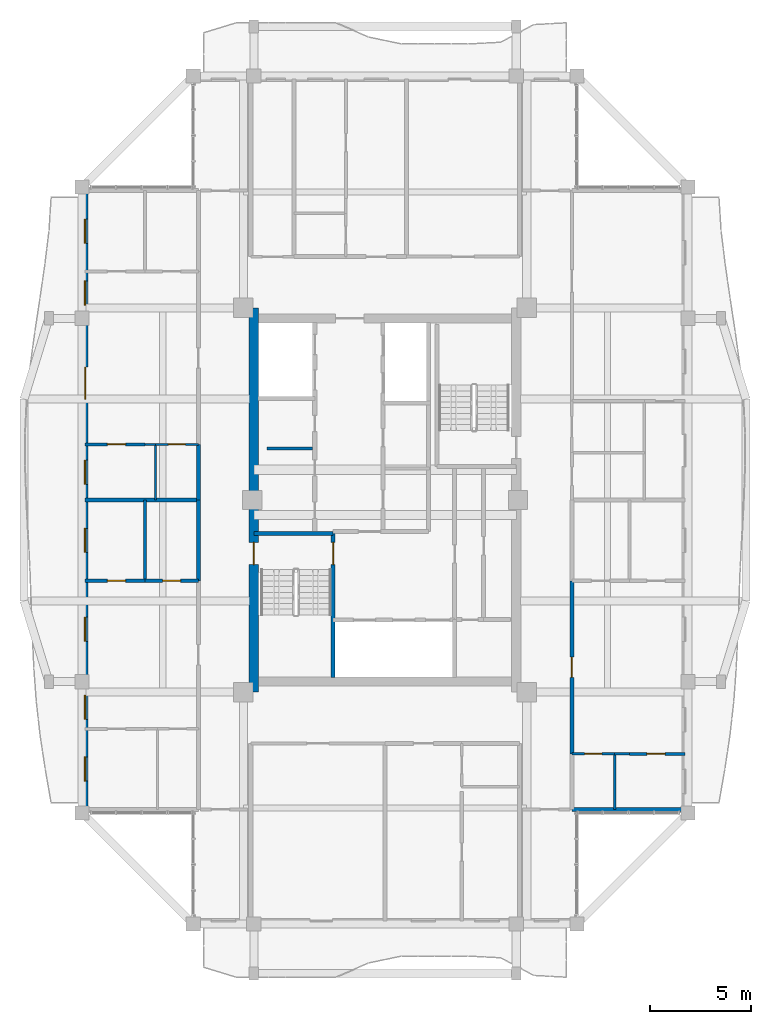
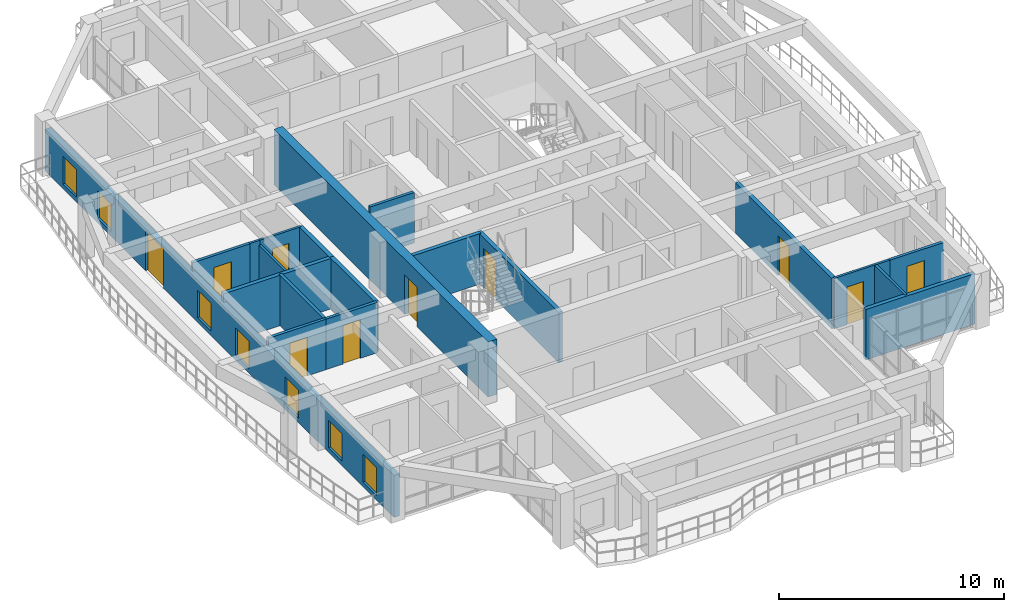
# One storey, part 15 of 24: 21 walls, 10 doors, 7 windows, 17 openings.
"""IFC4 building model written with IfcOpenShell, lengths in metres."""

import ifcopenshell
import ifcopenshell.guid

model = None  # the IFC model being written
_history = None  # IfcOwnerHistory: only IFC2X3 demands one
_inside = {}  # id of a spatial element -> (the spatial element, [elements in it])
_under = {}  # id of a project, library or spatial element -> (it, [spatial elements below it])
_declared = {}  # id of a project -> (the project, [libraries it declares])
_typed = {}  # id of a type object -> (the type object, [elements of that type])
_made_of = {}  # id of a material, layer set ... -> (it, [elements and type objects made of it])


def new_model(schema):
    """Start an empty IFC model of exactly this schema.

    Asked for "IFC4X3", IfcOpenShell would pick the latest addendum, in which some entities
    have other attributes; the version numbers below select the first issue.
    IFC2X3 requires an IfcOwnerHistory on every rooted entity: one is made here for all.
    """
    global model, _history
    if schema == "IFC4X3":
        model = ifcopenshell.file(schema_version=(4, 3, 0, 0))
    else:
        model = ifcopenshell.file(schema=schema)
    _inside.clear()
    _under.clear()
    _declared.clear()
    _typed.clear()
    _made_of.clear()
    _history = None
    if model.schema == "IFC2X3":
        org = make("IfcOrganization", Name="unknown")
        user = make(
            "IfcPersonAndOrganization",
            ThePerson=make("IfcPerson", FamilyName="unknown"),
            TheOrganization=org,
        )
        app = make(
            "IfcApplication",
            ApplicationDeveloper=org,
            Version="unknown",
            ApplicationFullName="unknown",
            ApplicationIdentifier="unknown",
        )
        _history = make(
            "IfcOwnerHistory",
            OwningUser=user,
            OwningApplication=app,
            ChangeAction="ADDED",
            CreationDate=0,
        )
    return model


def make(cls, **values):
    """One entity of the class cls with the attributes given. An attribute that is None is left unset."""
    return model.create_entity(
        cls, **{name: value for name, value in values.items() if value is not None}
    )


def rooted(cls, **values):
    """An entity with a GlobalId (a new one), such as an element, a storey or a relation."""
    return make(cls, GlobalId=ifcopenshell.guid.new(), OwnerHistory=_history, **values)


def si_unit(unit_type, name, prefix=None):
    """IfcSIUnit, for example si_unit("LENGTHUNIT", "METRE", prefix="MILLI")."""
    return make("IfcSIUnit", UnitType=unit_type, Prefix=prefix, Name=name)


def assignment(units):
    """IfcUnitAssignment: the units of a project."""
    return None if units is None else make("IfcUnitAssignment", Units=units)


def point(xyz):
    """IfcCartesianPoint."""
    return None if xyz is None else make("IfcCartesianPoint", Coordinates=xyz)


def direction(xyz):
    """IfcDirection."""
    return None if xyz is None else make("IfcDirection", DirectionRatios=xyz)


def frame(location, z_axis=None, x_axis=None):
    """IfcAxis2Placement3D, a coordinate frame: its origin and axes. An axis left out is left unset."""
    return make(
        "IfcAxis2Placement3D",
        Location=point(location),
        Axis=direction(z_axis),
        RefDirection=direction(x_axis),
    )


def frame_2d(location, x_axis=None):
    """IfcAxis2Placement2D, a coordinate frame in the plane: its origin and x axis."""
    return make(
        "IfcAxis2Placement2D", Location=point(location), RefDirection=direction(x_axis)
    )


def origin():
    """The frame at (0, 0, 0) with its axes left unset."""
    return frame((0.0, 0.0, 0.0))


def place(relative_to, where):
    """IfcLocalPlacement: puts the frame where relative to a parent placement (None: the world)."""
    return make(
        "IfcLocalPlacement", PlacementRelTo=relative_to, RelativePlacement=where
    )


def context(
    kind, dimensions, precision=None, world=None, true_north=None, identifier=None
):
    """IfcGeometricRepresentationContext, for example the 3D "Model" context."""
    return make(
        "IfcGeometricRepresentationContext",
        ContextIdentifier=identifier,
        ContextType=kind,
        CoordinateSpaceDimension=dimensions,
        Precision=precision,
        WorldCoordinateSystem=world,
        TrueNorth=true_north,
    )


def subcontext(parent, identifier, kind, view, scale=None):
    """IfcGeometricRepresentationSubContext, for example "Body" below "Model"."""
    return make(
        "IfcGeometricRepresentationSubContext",
        ContextIdentifier=identifier,
        ContextType=kind,
        ParentContext=parent,
        TargetScale=scale,
        TargetView=view,
    )


def project(units=None, contexts=None):
    """IfcProject with its units and contexts."""
    return rooted(
        "IfcProject",
        Name="project",
        RepresentationContexts=contexts,
        UnitsInContext=assignment(units),
    )


def spatial(cls, under=None, at=None, **own):
    """A site, building, storey or space (cls), placed at a placement, below another one or the project."""
    s = rooted(cls, ObjectPlacement=at, **own)
    if under is not None:
        _under.setdefault(under.id(), (under, []))[1].append(s)
    return s


def profile(cls, at=None, kind="AREA", **sizes):
    """A parametric profile (cls). Its sizes go by their IFC names, for example OverallWidth=200.0."""
    return make(cls, ProfileType=kind, Position=at, **sizes)


def rectangle(**sizes):
    """IfcRectangleProfileDef."""
    return profile("IfcRectangleProfileDef", **sizes)


def extrude(swept, where, along, depth):
    """IfcExtrudedAreaSolid: the profile swept, set in the frame where, extruded along a direction by depth."""
    return make(
        "IfcExtrudedAreaSolid",
        SweptArea=swept,
        Position=where,
        ExtrudedDirection=direction(along),
        Depth=depth,
    )


def shape(context_of_items, identifier, shape_type, items):
    """IfcShapeRepresentation: the items that make up one representation, for example the "Body"."""
    return make(
        "IfcShapeRepresentation",
        ContextOfItems=context_of_items,
        RepresentationIdentifier=identifier,
        RepresentationType=shape_type,
        Items=items,
    )


def source(mapping_origin, context_of_items, identifier, shape_type, items):
    """IfcRepresentationMap: a shape defined once, which mapped items show again and again."""
    return make(
        "IfcRepresentationMap",
        MappingOrigin=mapping_origin,
        MappedRepresentation=shape(context_of_items, identifier, shape_type, items),
    )


def transform(
    local_origin,
    x_axis=None,
    y_axis=None,
    z_axis=None,
    scale=None,
    scale2=None,
    scale3=None,
    uniform=True,
):
    """IfcCartesianTransformationOperator3D, or its non-uniform kind. x_axis, y_axis, z_axis: its Axis1, 2, 3."""
    if uniform:
        return make(
            "IfcCartesianTransformationOperator3D",
            Axis1=direction(x_axis),
            Axis2=direction(y_axis),
            LocalOrigin=point(local_origin),
            Scale=scale,
            Axis3=direction(z_axis),
        )
    return make(
        "IfcCartesianTransformationOperator3DnonUniform",
        Axis1=direction(x_axis),
        Axis2=direction(y_axis),
        LocalOrigin=point(local_origin),
        Scale=scale,
        Axis3=direction(z_axis),
        Scale2=scale2,
        Scale3=scale3,
    )


def mapped(mapping_source, mapping_target):
    """IfcMappedItem: shows the shape of a source again, moved by a transform."""
    return make(
        "IfcMappedItem", MappingSource=mapping_source, MappingTarget=mapping_target
    )


def material(Name=None, Category=None):
    """IfcMaterial."""
    return make("IfcMaterial", Name=Name, Category=Category)


def layer(
    of_material, thickness, ventilated=None, Name=None, Category=None, Priority=None
):
    """IfcMaterialLayer: one layer of a wall or slab, of a material (None: an air gap)."""
    return make(
        "IfcMaterialLayer",
        Material=of_material,
        LayerThickness=thickness,
        IsVentilated=ventilated,
        Name=Name,
        Category=Category,
        Priority=Priority,
    )


def layer_set(layers, Name=None):
    """IfcMaterialLayerSet."""
    return make("IfcMaterialLayerSet", MaterialLayers=layers, LayerSetName=Name)


def made_of(thing, what):
    """Note that an element or type object is made of a material, layer set ...; save() writes the relation."""
    if what is not None:
        _made_of.setdefault(what.id(), (what, []))[1].append(thing)
    return thing


def type_object(cls, material=None, **own):
    """A type object (cls), such as IfcWallType, which elements share."""
    return made_of(rooted(cls, **own), material)


def element(
    cls,
    number,
    at=None,
    inside=None,
    cuts=None,
    type_object=None,
    material=None,
    context=None,
    identifier="Body",
    shape_type=None,
    held_by="IfcProductDefinitionShape",
    body=None,
    shapes=None,
    **own,
):
    """One element of the class cls, such as IfcWall. Its Tag is "e" and its number.

    at: its placement. inside: the storey or other place that contains it. cuts: it is an
    opening in that element (IfcRelVoidsElement). A single representation is given by context,
    identifier, shape_type and body (its items); several are given by shapes. held_by: the class
    of the entity that holds the representations. save() writes the other relations.
    """
    e = rooted(cls, Tag="e%d" % number, ObjectPlacement=at, **own)
    if body is not None:
        shapes = [shape(context, identifier, shape_type, body)]
    if shapes is not None:
        e.Representation = make(held_by, Representations=shapes)
    if inside is not None:
        _inside.setdefault(inside.id(), (inside, []))[1].append(e)
    if cuts is not None:
        rooted(
            "IfcRelVoidsElement", RelatingBuildingElement=cuts, RelatedOpeningElement=e
        )
    if type_object is not None:
        _typed.setdefault(type_object.id(), (type_object, []))[1].append(e)
    return made_of(e, material)


def fill(opening, filler):
    """IfcRelFillsElement: the door or window that sits in an opening."""
    return rooted(
        "IfcRelFillsElement",
        RelatingOpeningElement=opening,
        RelatedBuildingElement=filler,
    )


def aggregate(whole, parts):
    """IfcRelAggregates: a whole, such as a stair, and the parts it consists of."""
    return rooted("IfcRelAggregates", RelatingObject=whole, RelatedObjects=parts)


def save(model, path):
    """Write the relations noted so far, then the file.

    IfcRelAggregates (storeys below a building ...), IfcRelContainedInSpatialStructure (elements
    in a storey), IfcRelDefinesByType, IfcRelAssociatesMaterial and IfcRelDeclares: one each for
    every whole, place, type object, material and project.
    """
    for whole, parts in _under.values():
        aggregate(whole, parts)
    for where, things in _inside.values():
        rooted(
            "IfcRelContainedInSpatialStructure",
            RelatedElements=things,
            RelatingStructure=where,
        )
    for kind, things in _typed.values():
        rooted("IfcRelDefinesByType", RelatedObjects=things, RelatingType=kind)
    for what, things in _made_of.values():
        rooted("IfcRelAssociatesMaterial", RelatedObjects=things, RelatingMaterial=what)
    for by, libraries in _declared.values():
        rooted("IfcRelDeclares", RelatingContext=by, RelatedDefinitions=libraries)
    model.write(path)


model = new_model("IFC4")

# Units and contexts
model_context = context("Model", 3, precision=1e-05, world=origin(), true_north=direction((0.0, 1.0)))
body_context = subcontext(model_context, "Body", "Model", "MODEL_VIEW")
ifc_project = project(units=[si_unit("LENGTHUNIT", "METRE"), si_unit("AREAUNIT", "SQUARE_METRE"), si_unit("VOLUMEUNIT", "CUBIC_METRE"), si_unit("PLANEANGLEUNIT", "RADIAN"), si_unit("MASSUNIT", "GRAM", prefix="KILO")], contexts=[model_context])

# Site, building, storey
site_placement = place(None, origin())
site = spatial("IfcSite", under=ifc_project, at=site_placement, CompositionType="ELEMENT")
building_placement = place(site_placement, origin())
building = spatial("IfcBuilding", under=site, at=building_placement, Name="Saelheon Loggia Tower", CompositionType="ELEMENT")
storey_placement = place(building_placement, frame((0.0, 0.0, 246.0)))
storey = spatial("IfcBuildingStorey", under=building, at=storey_placement, Name="L76", CompositionType="ELEMENT", Elevation=246.0)

# Wall, opening, door
ifc_material_1 = material(Name="Concrete C45/55", Category="concrete")
ifc_layer_1 = layer(ifc_material_1, 0.449951171875)
ifc_layer_set_1 = layer_set([ifc_layer_1], Name="Concrete C45/55")
wall_type_1 = type_object("IfcWallType", Name="Wall_CoreShear_450", PredefinedType="SHEAR", material=ifc_layer_set_1)
wall_1_placement = place(storey_placement, frame((31.5, 17.47998046875, 0.0), z_axis=(0.0, 0.0, 1.0), x_axis=(0.0, 1.0, 0.0)))
wall_1 = element("IfcWall", 1, at=wall_1_placement, inside=storey, type_object=wall_type_1, Name="L76 Core Shear Wall West", PredefinedType="SHEAR", context=body_context, shape_type="SweptSolid", body=[
    extrude(rectangle(XDim=19.0400390625, YDim=0.449951171875, at=frame_2d((9.52001953125, 0.0))), origin(), (0.0, 0.0, 1.0), 3.0),
])
opening_1_placement = place(wall_1_placement, frame((6.320068359375, 0.0, 0.0)))
opening_1 = element("IfcOpeningElement", 2, at=opening_1_placement, cuts=wall_1, Name="Opening D-FD2", PredefinedType="OPENING", context=body_context, shape_type="SweptSolid", body=[
    extrude(rectangle(XDim=1.10009765625, YDim=2.14990234375, at=frame_2d((0.550048828125, 1.074951171875))), frame((0.0, 0.237060546875, 0.0), z_axis=(0.0, -1.0, 0.0), x_axis=(1.0, 0.0, 0.0)), (0.0, 0.0, 1.0), 0.473876953125),
])
ifc_material_2 = material(Name="Galvanised Steel Fire Door", Category="steel")
door_type_1 = type_object("IfcDoorType", Name="Door_Fire_FD60_1100", OperationType="NOTDEFINED", PredefinedType="DOOR", material=ifc_material_2)
shared_shape_1 = source(origin(), body_context, "Body", "SweptSolid", [
    extrude(rectangle(XDim=1.10009765625, YDim=2.14990234375, at=frame_2d((0.550048828125, 1.074951171875))), frame((0.0, 0.02490234375, 0.0), z_axis=(0.0, -1.0, 0.0), x_axis=(1.0, 0.0, 0.0)), (0.0, 0.0, 1.0), 0.050048828125),
])
door_1_placement = place(opening_1_placement, origin())
door_1 = element("IfcDoor", 3, at=door_1_placement, inside=storey, type_object=door_type_1, Name="L76 Stair ST1 Corridor Door", OperationType="SINGLE_SWING_LEFT", OverallHeight=2.14990234375, OverallWidth=1.10009765625, PredefinedType="DOOR", context=body_context, shape_type="MappedRepresentation", body=[
    mapped(shared_shape_1, transform((0.0, 0.0, 0.0), scale=1.0)),
])
fill(opening_1, door_1)

# Wall, openings, windows, door
ifc_material_3 = material(Name="Architectural Precast Concrete C40/50", Category="concrete")
ifc_layer_2 = layer(ifc_material_3, 0.280029296875)
ifc_layer_set_2 = layer_set([ifc_layer_2], Name="Architectural Precast Concrete C40/50")
wall_type_2 = type_object("IfcWallType", Name="Wall_Ext_Loggia_280", PredefinedType="SOLIDWALL", material=ifc_layer_set_2)
wall_2_placement = place(storey_placement, frame((23.139892578125, 11.5, 0.0), z_axis=(0.0, 0.0, 1.0), x_axis=(0.0, 1.0, 0.0)))
wall_2 = element("IfcWall", 4, at=wall_2_placement, inside=storey, type_object=wall_type_2, Name="L76 West Loggia Inner Wall", PredefinedType="SOLIDWALL", context=body_context, shape_type="SweptSolid", body=[
    extrude(rectangle(XDim=31.0, YDim=0.280029296875, at=frame_2d((15.5, 0.0))), origin(), (0.0, 0.0, 1.0), 2.280029296875),
])
opening_2_placement = place(wall_2_placement, frame((1.57666015625, 0.0, 0.25)))
opening_2 = element("IfcOpeningElement", 5, at=opening_2_placement, cuts=wall_2, Name="Opening WN-03", PredefinedType="OPENING", context=body_context, shape_type="SweptSolid", body=[
    extrude(rectangle(XDim=1.199951171875, YDim=1.5, at=frame_2d((0.60009765625, 0.75))), frame((0.0, 0.152099609375, 0.0), z_axis=(0.0, -1.0, 0.0), x_axis=(1.0, 0.0, 0.0)), (0.0, 0.0, 1.0), 0.303955078125),
])
opening_3_placement = place(wall_2_placement, frame((4.63671875, 0.0, 0.25)))
opening_3 = element("IfcOpeningElement", 6, at=opening_3_placement, cuts=wall_2, Name="Opening WN-03", PredefinedType="OPENING", context=body_context, shape_type="SweptSolid", body=[
    extrude(rectangle(XDim=1.199951171875, YDim=1.5, at=frame_2d((0.60009765625, 0.75))), frame((0.0, 0.152099609375, 0.0), z_axis=(0.0, -1.0, 0.0), x_axis=(1.0, 0.0, 0.0)), (0.0, 0.0, 1.0), 0.303955078125),
])
opening_4_placement = place(wall_2_placement, frame((8.4951171875, 0.0, 0.25)))
opening_4 = element("IfcOpeningElement", 7, at=opening_4_placement, cuts=wall_2, Name="Opening WN-03", PredefinedType="OPENING", context=body_context, shape_type="SweptSolid", body=[
    extrude(rectangle(XDim=1.199951171875, YDim=1.5, at=frame_2d((0.60009765625, 0.75))), frame((0.0, 0.152099609375, 0.0), z_axis=(0.0, -1.0, 0.0), x_axis=(1.0, 0.0, 0.0)), (0.0, 0.0, 1.0), 0.303955078125),
])
opening_5_placement = place(wall_2_placement, frame((12.89990234375, 0.0, 0.25)))
opening_5 = element("IfcOpeningElement", 8, at=opening_5_placement, cuts=wall_2, Name="Opening WN-03", PredefinedType="OPENING", context=body_context, shape_type="SweptSolid", body=[
    extrude(rectangle(XDim=1.199951171875, YDim=1.5, at=frame_2d((0.60009765625, 0.75))), frame((0.0, 0.152099609375, 0.0), z_axis=(0.0, -1.0, 0.0), x_axis=(1.0, 0.0, 0.0)), (0.0, 0.0, 1.0), 0.303955078125),
])
opening_6_placement = place(wall_2_placement, frame((16.27490234375, 0.0, 0.25)))
opening_6 = element("IfcOpeningElement", 9, at=opening_6_placement, cuts=wall_2, Name="Opening WN-03", PredefinedType="OPENING", context=body_context, shape_type="SweptSolid", body=[
    extrude(rectangle(XDim=1.199951171875, YDim=1.5, at=frame_2d((0.60009765625, 0.75))), frame((0.0, 0.152099609375, 0.0), z_axis=(0.0, -1.0, 0.0), x_axis=(1.0, 0.0, 0.0)), (0.0, 0.0, 1.0), 0.303955078125),
])
opening_7_placement = place(wall_2_placement, frame((20.47998046875, 0.0, 0.0)))
opening_7 = element("IfcOpeningElement", 10, at=opening_7_placement, cuts=wall_2, Name="Opening DLG-1", PredefinedType="OPENING", context=body_context, shape_type="SweptSolid", body=[
    extrude(rectangle(XDim=1.60009765625, YDim=2.14990234375, at=frame_2d((0.800048828125, 1.074951171875))), frame((0.0, 0.152099609375, 0.0), z_axis=(0.0, -1.0, 0.0), x_axis=(1.0, 0.0, 0.0)), (0.0, 0.0, 1.0), 0.303955078125),
])
opening_8_placement = place(wall_2_placement, frame((25.155029296875, 0.0, 0.25)))
opening_8 = element("IfcOpeningElement", 11, at=opening_8_placement, cuts=wall_2, Name="Opening WN-03", PredefinedType="OPENING", context=body_context, shape_type="SweptSolid", body=[
    extrude(rectangle(XDim=1.199951171875, YDim=1.5, at=frame_2d((0.60009765625, 0.75))), frame((0.0, 0.152099609375, 0.0), z_axis=(0.0, -1.0, 0.0), x_axis=(1.0, 0.0, 0.0)), (0.0, 0.0, 1.0), 0.303955078125),
])
opening_9_placement = place(wall_2_placement, frame((28.215087890625, 0.0, 0.25)))
opening_9 = element("IfcOpeningElement", 12, at=opening_9_placement, cuts=wall_2, Name="Opening WN-03", PredefinedType="OPENING", context=body_context, shape_type="SweptSolid", body=[
    extrude(rectangle(XDim=1.199951171875, YDim=1.5, at=frame_2d((0.60009765625, 0.75))), frame((0.0, 0.152099609375, 0.0), z_axis=(0.0, -1.0, 0.0), x_axis=(1.0, 0.0, 0.0)), (0.0, 0.0, 1.0), 0.303955078125),
])
ifc_material_4 = material(Name="Thermal-Break Aluminium and Triple Low-E Glass", Category="aluminium")
window_type = type_object("IfcWindowType", Name="Win_Bedroom_1200x1500", PartitioningType="SINGLE_PANEL", PredefinedType="WINDOW", material=ifc_material_4)
shared_shape_2 = source(origin(), body_context, "Body", "SweptSolid", [
    extrude(rectangle(XDim=1.199951171875, YDim=1.5, at=frame_2d((0.60009765625, 0.75))), frame((0.0, 0.030029296875, 0.0), z_axis=(0.0, -1.0, 0.0), x_axis=(1.0, 0.0, 0.0)), (0.0, 0.0, 1.0), 0.06005859375),
])
window_1_placement = place(opening_2_placement, origin())
window_1 = element("IfcWindow", 13, at=window_1_placement, inside=storey, type_object=window_type, Name="L76 W Dwelling Window 1", OverallHeight=1.5, OverallWidth=1.199951171875, PartitioningType="SINGLE_PANEL", PredefinedType="WINDOW", context=body_context, shape_type="MappedRepresentation", body=[
    mapped(shared_shape_2, transform((0.0, 0.0, 0.0), scale=1.0)),
])
fill(opening_2, window_1)
window_2_placement = place(opening_3_placement, origin())
window_2 = element("IfcWindow", 14, at=window_2_placement, inside=storey, type_object=window_type, Name="L76 W Dwelling Window 2", OverallHeight=1.5, OverallWidth=1.199951171875, PartitioningType="SINGLE_PANEL", PredefinedType="WINDOW", context=body_context, shape_type="MappedRepresentation", body=[
    mapped(shared_shape_2, transform((0.0, 0.0, 0.0), scale=1.0)),
])
fill(opening_3, window_2)
window_3_placement = place(opening_4_placement, origin())
window_3 = element("IfcWindow", 15, at=window_3_placement, inside=storey, type_object=window_type, Name="L76 W Dwelling Window 3", OverallHeight=1.5, OverallWidth=1.199951171875, PartitioningType="SINGLE_PANEL", PredefinedType="WINDOW", context=body_context, shape_type="MappedRepresentation", body=[
    mapped(shared_shape_2, transform((0.0, 0.0, 0.0), scale=1.0)),
])
fill(opening_4, window_3)
window_4_placement = place(opening_5_placement, origin())
window_4 = element("IfcWindow", 16, at=window_4_placement, inside=storey, type_object=window_type, Name="L76 W Dwelling Window 4", OverallHeight=1.5, OverallWidth=1.199951171875, PartitioningType="SINGLE_PANEL", PredefinedType="WINDOW", context=body_context, shape_type="MappedRepresentation", body=[
    mapped(shared_shape_2, transform((0.0, 0.0, 0.0), scale=1.0)),
])
fill(opening_5, window_4)
window_5_placement = place(opening_6_placement, origin())
window_5 = element("IfcWindow", 17, at=window_5_placement, inside=storey, type_object=window_type, Name="L76 W Dwelling Window 5", OverallHeight=1.5, OverallWidth=1.199951171875, PartitioningType="SINGLE_PANEL", PredefinedType="WINDOW", context=body_context, shape_type="MappedRepresentation", body=[
    mapped(shared_shape_2, transform((0.0, 0.0, 0.0), scale=1.0)),
])
fill(opening_6, window_5)
window_6_placement = place(opening_8_placement, origin())
window_6 = element("IfcWindow", 18, at=window_6_placement, inside=storey, type_object=window_type, Name="L76 W Dwelling Window 7", OverallHeight=1.5, OverallWidth=1.199951171875, PartitioningType="SINGLE_PANEL", PredefinedType="WINDOW", context=body_context, shape_type="MappedRepresentation", body=[
    mapped(shared_shape_2, transform((0.0, 0.0, 0.0), scale=1.0)),
])
fill(opening_8, window_6)
window_7_placement = place(opening_9_placement, origin())
window_7 = element("IfcWindow", 19, at=window_7_placement, inside=storey, type_object=window_type, Name="L76 W Dwelling Window 8", OverallHeight=1.5, OverallWidth=1.199951171875, PartitioningType="SINGLE_PANEL", PredefinedType="WINDOW", context=body_context, shape_type="MappedRepresentation", body=[
    mapped(shared_shape_2, transform((0.0, 0.0, 0.0), scale=1.0)),
])
fill(opening_9, window_7)
ifc_material_5 = material(Name="Thermal-Break Aluminium Sliding Glazed Door", Category="aluminium")
door_type_2 = type_object("IfcDoorType", Name="Door_LoggiaSlide_1600", OperationType="SLIDING_TO_LEFT", PredefinedType="DOOR", material=ifc_material_5)
shared_shape_3 = source(origin(), body_context, "Body", "SweptSolid", [
    extrude(rectangle(XDim=1.60009765625, YDim=2.14990234375, at=frame_2d((0.800048828125, 1.074951171875))), frame((0.0, 0.02490234375, 0.0), z_axis=(0.0, -1.0, 0.0), x_axis=(1.0, 0.0, 0.0)), (0.0, 0.0, 1.0), 0.050048828125),
])
door_2_placement = place(opening_7_placement, origin())
door_2 = element("IfcDoor", 20, at=door_2_placement, inside=storey, type_object=door_type_2, Name="L76 W Loggia Access Door", OperationType="SLIDING_TO_LEFT", OverallHeight=2.14990234375, OverallWidth=1.60009765625, PredefinedType="DOOR", context=body_context, shape_type="MappedRepresentation", body=[
    mapped(shared_shape_3, transform((0.0, 0.0, 0.0), scale=1.0)),
])
fill(opening_7, door_2)

# Walls
ifc_material_6 = material(Name="Lightweight Autoclaved Aerated Concrete Block and Acoustic Gypsum", Category="concrete")
ifc_layer_3 = layer(ifc_material_6, 0.14990234375)
ifc_layer_set_3 = layer_set([ifc_layer_3], Name="Lightweight Autoclaved Aerated Concrete Block and Acoustic Gypsum")
wall_type_3 = type_object("IfcWallType", Name="Wall_Part_150", PredefinedType="PARTITIONING", material=ifc_layer_set_3)
wall_3_placement = place(storey_placement, frame((32.14990234375, 29.550048828125, 0.0), z_axis=(0.0, 0.0, 1.0), x_axis=(1.0, 0.0, 0.0)))
element("IfcWall", 21, at=wall_3_placement, inside=storey, type_object=wall_type_3, Name="L76 Freed Core Partition PL1", PredefinedType="PARTITIONING", context=body_context, shape_type="SweptSolid", body=[
    extrude(rectangle(XDim=2.27001953125, YDim=0.14990234375, at=frame_2d((1.135009765625, 0.0))), origin(), (0.0, 0.0, 1.0), 2.739990234375),
])
wall_4_placement = place(storey_placement, frame((26.110107421875, 23.0, 0.0), z_axis=(0.0, 0.0, 1.0), x_axis=(0.0, 1.0, 0.0)))
element("IfcWall", 22, at=wall_4_placement, inside=storey, type_object=wall_type_3, Name="L76 W Partition V07", PredefinedType="PARTITIONING", context=body_context, shape_type="SweptSolid", body=[
    extrude(rectangle(XDim=4.0, YDim=0.14990234375, at=frame_2d((2.0, 0.0))), origin(), (0.0, 0.0, 1.0), 2.739990234375),
])

# Wall, opening, door
wall_5_placement = place(storey_placement, frame((28.75, 23.0, 0.0), z_axis=(0.0, 0.0, 1.0), x_axis=(-1.0, 0.0, 0.0)))
wall_5 = element("IfcWall", 23, at=wall_5_placement, inside=storey, type_object=wall_type_3, Name="L76 W Partition U11", PredefinedType="PARTITIONING", context=body_context, shape_type="SweptSolid", body=[
    extrude(rectangle(XDim=2.639892578125, YDim=0.14990234375, at=frame_2d((1.31982421875, 0.0))), origin(), (0.0, 0.0, 1.0), 2.739990234375),
])
opening_10_placement = place(wall_5_placement, frame((0.8701171875, 0.0, 0.0)))
opening_10 = element("IfcOpeningElement", 24, at=opening_10_placement, cuts=wall_5, Name="Opening D-IN2", PredefinedType="OPENING", context=body_context, shape_type="SweptSolid", body=[
    extrude(rectangle(XDim=0.89990234375, YDim=2.10009765625, at=frame_2d((0.449951171875, 1.050048828125))), frame((0.0, 0.0869140625, 0.0), z_axis=(0.0, -1.0, 0.0), x_axis=(1.0, 0.0, 0.0)), (0.0, 0.0, 1.0), 0.173828125),
])
ifc_material_7 = material(Name="Engineered Oak Flush Door", Category="timber")
door_type_3 = type_object("IfcDoorType", Name="Door_Int_900", OperationType="NOTDEFINED", PredefinedType="DOOR", material=ifc_material_7)
shared_shape_4 = source(origin(), body_context, "Body", "SweptSolid", [
    extrude(rectangle(XDim=0.89990234375, YDim=2.10009765625, at=frame_2d((0.449951171875, 1.050048828125))), frame((0.0, 0.02490234375, 0.0), z_axis=(0.0, -1.0, 0.0), x_axis=(1.0, 0.0, 0.0)), (0.0, 0.0, 1.0), 0.050048828125),
])
door_3_placement = place(opening_10_placement, origin())
door_3 = element("IfcDoor", 25, at=door_3_placement, inside=storey, type_object=door_type_3, Name="Unit U03 Kitchen Door", OperationType="SINGLE_SWING_LEFT", OverallHeight=2.10009765625, OverallWidth=0.89990234375, PredefinedType="DOOR", context=body_context, shape_type="MappedRepresentation", body=[
    mapped(shared_shape_4, transform((0.0, 0.0, 0.0), scale=1.0)),
])
fill(opening_10, door_3)

wall_6_placement = place(storey_placement, frame((26.110107421875, 23.0, 0.0), z_axis=(0.0, 0.0, 1.0), x_axis=(-1.0, 0.0, 0.0)))
wall_6 = element("IfcWall", 26, at=wall_6_placement, inside=storey, type_object=wall_type_3, Name="L76 W Partition U12", PredefinedType="PARTITIONING", context=body_context, shape_type="SweptSolid", body=[
    extrude(rectangle(XDim=2.960205078125, YDim=0.14990234375, at=frame_2d((1.47998046875, 0.0))), origin(), (0.0, 0.0, 1.0), 2.739990234375),
])
opening_11_placement = place(wall_6_placement, frame((0.964111328125, 0.0, 0.0)))
opening_11 = element("IfcOpeningElement", 27, at=opening_11_placement, cuts=wall_6, Name="Opening D-IN2", PredefinedType="OPENING", context=body_context, shape_type="SweptSolid", body=[
    extrude(rectangle(XDim=0.89990234375, YDim=2.10009765625, at=frame_2d((0.449951171875, 1.050048828125))), frame((0.0, 0.0869140625, 0.0), z_axis=(0.0, -1.0, 0.0), x_axis=(1.0, 0.0, 0.0)), (0.0, 0.0, 1.0), 0.173828125),
])
door_4_placement = place(opening_11_placement, origin())
door_4 = element("IfcDoor", 28, at=door_4_placement, inside=storey, type_object=door_type_3, Name="Unit U03 Bedroom 1 Door", OperationType="SINGLE_SWING_RIGHT", OverallHeight=2.10009765625, OverallWidth=0.89990234375, PredefinedType="DOOR", context=body_context, shape_type="MappedRepresentation", body=[
    mapped(shared_shape_4, transform((0.0, 0.0, 0.0), scale=1.0)),
])
fill(opening_11, door_4)

wall_7_placement = place(storey_placement, frame((26.110107421875, 29.75, 0.0), z_axis=(0.0, 0.0, 1.0), x_axis=(-1.0, 0.0, 0.0)))
wall_7 = element("IfcWall", 29, at=wall_7_placement, inside=storey, type_object=wall_type_3, Name="L76 W Partition U21", PredefinedType="PARTITIONING", context=body_context, shape_type="SweptSolid", body=[
    extrude(rectangle(XDim=2.960205078125, YDim=0.14990234375, at=frame_2d((1.47998046875, 0.0))), origin(), (0.0, 0.0, 1.0), 2.739990234375),
])
opening_12_placement = place(wall_7_placement, frame((0.964111328125, 0.0, 0.0)))
opening_12 = element("IfcOpeningElement", 30, at=opening_12_placement, cuts=wall_7, Name="Opening D-IN2", PredefinedType="OPENING", context=body_context, shape_type="SweptSolid", body=[
    extrude(rectangle(XDim=0.89990234375, YDim=2.10009765625, at=frame_2d((0.449951171875, 1.050048828125))), frame((0.0, 0.0869140625, 0.0), z_axis=(0.0, -1.0, 0.0), x_axis=(1.0, 0.0, 0.0)), (0.0, 0.0, 1.0), 0.173828125),
])
door_5_placement = place(opening_12_placement, origin())
door_5 = element("IfcDoor", 31, at=door_5_placement, inside=storey, type_object=door_type_3, Name="Unit U04 Kitchen Door", OperationType="SINGLE_SWING_LEFT", OverallHeight=2.10009765625, OverallWidth=0.89990234375, PredefinedType="DOOR", context=body_context, shape_type="MappedRepresentation", body=[
    mapped(shared_shape_4, transform((0.0, 0.0, 0.0), scale=1.0)),
])
fill(opening_12, door_5)

wall_8_placement = place(storey_placement, frame((50.10009765625, 14.429931640625, 0.0), z_axis=(0.0, 0.0, 1.0), x_axis=(1.0, 0.0, 0.0)))
wall_8 = element("IfcWall", 32, at=wall_8_placement, inside=storey, type_object=wall_type_3, Name="L76 E Partition U10", PredefinedType="PARTITIONING", context=body_context, shape_type="SweptSolid", body=[
    extrude(rectangle(XDim=2.75, YDim=0.14990234375, at=frame_2d((1.375, 0.0))), origin(), (0.0, 0.0, 1.0), 2.739990234375),
])
opening_13_placement = place(wall_8_placement, frame((0.867919921875, 0.0, 0.0)))
opening_13 = element("IfcOpeningElement", 33, at=opening_13_placement, cuts=wall_8, Name="Opening D-IN2", PredefinedType="OPENING", context=body_context, shape_type="SweptSolid", body=[
    extrude(rectangle(XDim=0.89990234375, YDim=2.10009765625, at=frame_2d((0.449951171875, 1.050048828125))), frame((0.0, 0.0869140625, 0.0), z_axis=(0.0, -1.0, 0.0), x_axis=(1.0, 0.0, 0.0)), (0.0, 0.0, 1.0), 0.173828125),
])
door_6_placement = place(opening_13_placement, origin())
door_6 = element("IfcDoor", 34, at=door_6_placement, inside=storey, type_object=door_type_3, Name="Unit U05 Kitchen Door", OperationType="SINGLE_SWING_RIGHT", OverallHeight=2.10009765625, OverallWidth=0.89990234375, PredefinedType="DOOR", context=body_context, shape_type="MappedRepresentation", body=[
    mapped(shared_shape_4, transform((0.0, 0.0, 0.0), scale=1.0)),
])
fill(opening_13, door_6)

# Walls
ifc_material_8 = material(Name="Double Acoustic Stud and Fireboard Partition", Category="gypsum")
ifc_layer_4 = layer(ifc_material_8, 0.199951171875)
ifc_layer_set_4 = layer_set([ifc_layer_4], Name="Double Acoustic Stud and Fireboard Partition")
wall_type_4 = type_object("IfcWallType", Name="Wall_Party_200", PredefinedType="PARTITIONING", material=ifc_layer_set_4)
wall_9_placement = place(storey_placement, frame((28.75, 23.0, 0.0), z_axis=(0.0, 0.0, 1.0), x_axis=(0.0, 1.0, 0.0)))
element("IfcWall", 35, at=wall_9_placement, inside=storey, type_object=wall_type_4, Name="L76 W Partition V05", PredefinedType="PARTITIONING", context=body_context, shape_type="SweptSolid", body=[
    extrude(rectangle(XDim=4.0, YDim=0.199951171875, at=frame_2d((2.0, 0.0))), origin(), (0.0, 0.0, 1.0), 2.739990234375),
])
wall_10_placement = place(storey_placement, frame((28.75, 27.0, 0.0), z_axis=(0.0, 0.0, 1.0), x_axis=(-1.0, 0.0, 0.0)))
element("IfcWall", 36, at=wall_10_placement, inside=storey, type_object=wall_type_4, Name="L76 W Partition U13", PredefinedType="PARTITIONING", context=body_context, shape_type="SweptSolid", body=[
    extrude(rectangle(XDim=5.60009765625, YDim=0.199951171875, at=frame_2d((2.800048828125, 0.0))), origin(), (0.0, 0.0, 1.0), 2.739990234375),
])
wall_11_placement = place(storey_placement, frame((28.75, 27.0, 0.0), z_axis=(0.0, 0.0, 1.0), x_axis=(0.0, 1.0, 0.0)))
element("IfcWall", 37, at=wall_11_placement, inside=storey, type_object=wall_type_4, Name="L76 W Partition V14", PredefinedType="PARTITIONING", context=body_context, shape_type="SweptSolid", body=[
    extrude(rectangle(XDim=2.75, YDim=0.199951171875, at=frame_2d((1.375, 0.0))), origin(), (0.0, 0.0, 1.0), 2.739990234375),
])
wall_12_placement = place(storey_placement, frame((47.25, 11.679931640625, 0.0), z_axis=(0.0, 0.0, 1.0), x_axis=(1.0, 0.0, 0.0)))
element("IfcWall", 38, at=wall_12_placement, inside=storey, type_object=wall_type_4, Name="L76 E Partition U01", PredefinedType="PARTITIONING", context=body_context, shape_type="SweptSolid", body=[
    extrude(rectangle(XDim=5.60009765625, YDim=0.199951171875, at=frame_2d((2.800048828125, 0.0))), origin(), (0.0, 0.0, 1.0), 2.739990234375),
])

# Wall, opening, door
wall_13_placement = place(storey_placement, frame((47.25, 14.429931640625, 0.0), z_axis=(0.0, 0.0, 1.0), x_axis=(0.0, 1.0, 0.0)))
wall_13 = element("IfcWall", 39, at=wall_13_placement, inside=storey, type_object=wall_type_4, Name="L76 E Partition V04", PredefinedType="PARTITIONING", context=body_context, shape_type="SweptSolid", body=[
    extrude(rectangle(XDim=8.570068359375, YDim=0.199951171875, at=frame_2d((4.28515625, 0.0))), origin(), (0.0, 0.0, 1.0), 2.739990234375),
])
opening_14_placement = place(wall_13_placement, frame((3.784912109375, 0.0, 0.0)))
opening_14 = element("IfcOpeningElement", 40, at=opening_14_placement, cuts=wall_13, Name="Opening D-FD1", PredefinedType="OPENING", context=body_context, shape_type="SweptSolid", body=[
    extrude(rectangle(XDim=1.0, YDim=2.14990234375, at=frame_2d((0.5, 1.074951171875))), frame((0.0, 0.112060546875, 0.0), z_axis=(0.0, -1.0, 0.0), x_axis=(1.0, 0.0, 0.0)), (0.0, 0.0, 1.0), 0.223876953125),
])
ifc_material_9 = material(Name="Fire-Rated Engineered Timber Entrance Door", Category="wood")
door_type_4 = type_object("IfcDoorType", Name="Door_Flat_FD30S", OperationType="NOTDEFINED", PredefinedType="DOOR", material=ifc_material_9)
shared_shape_5 = source(origin(), body_context, "Body", "SweptSolid", [
    extrude(rectangle(XDim=1.0, YDim=2.14990234375, at=frame_2d((0.5, 1.074951171875))), frame((0.0, 0.02490234375, 0.0), z_axis=(0.0, -1.0, 0.0), x_axis=(1.0, 0.0, 0.0)), (0.0, 0.0, 1.0), 0.050048828125),
])
door_7_placement = place(opening_14_placement, origin())
door_7 = element("IfcDoor", 41, at=door_7_placement, inside=storey, type_object=door_type_4, Name="Unit U05 Entrance Door", OperationType="SINGLE_SWING_RIGHT", OverallHeight=2.14990234375, OverallWidth=1.0, PredefinedType="DOOR", context=body_context, shape_type="MappedRepresentation", body=[
    mapped(shared_shape_5, transform((0.0, 0.0, 0.0), scale=1.0)),
])
fill(opening_14, door_7)

ifc_layer_5 = layer(ifc_material_1, 0.199951171875)
ifc_layer_set_5 = layer_set([ifc_layer_5], Name="Concrete C45/55")
wall_type_5 = type_object("IfcWallType", Name="Wall_StairShaft_RC200", PredefinedType="SOLIDWALL", material=ifc_layer_set_5)
wall_14_placement = place(storey_placement, frame((35.429931640625, 18.219970703125, 0.0), z_axis=(0.0, 0.0, 1.0), x_axis=(0.0, 1.0, 0.0)))
wall_14 = element("IfcWall", 42, at=wall_14_placement, inside=storey, type_object=wall_type_5, Name="L76 Stair ST1 Shaft Wall", PredefinedType="SOLIDWALL", context=body_context, shape_type="SweptSolid", body=[
    extrude(rectangle(XDim=7.219970703125, YDim=0.199951171875, at=frame_2d((3.60986328125, 0.0))), origin(), (0.0, 0.0, 1.0), 2.739990234375),
])
opening_15_placement = place(wall_14_placement, frame((6.68017578125, 0.0, 0.0), z_axis=(0.0, 0.0, 1.0), x_axis=(-1.0, 0.0, 0.0)))
opening_15 = element("IfcOpeningElement", 43, at=opening_15_placement, cuts=wall_14, Name="Opening D-FD2", PredefinedType="OPENING", context=body_context, shape_type="SweptSolid", body=[
    extrude(rectangle(XDim=1.10009765625, YDim=2.14990234375, at=frame_2d((0.550048828125, 1.074951171875))), frame((0.0, 0.112060546875, 0.0), z_axis=(0.0, -1.0, 0.0), x_axis=(1.0, 0.0, 0.0)), (0.0, 0.0, 1.0), 0.223876953125),
])
door_8_placement = place(opening_15_placement, origin())
door_8 = element("IfcDoor", 44, at=door_8_placement, inside=storey, type_object=door_type_1, Name="L76 Stair ST1 Lobby Door", OperationType="SINGLE_SWING_LEFT", OverallHeight=2.14990234375, OverallWidth=1.10009765625, PredefinedType="DOOR", context=body_context, shape_type="MappedRepresentation", body=[
    mapped(shared_shape_1, transform((0.0, 0.0, 0.0), scale=1.0)),
])
fill(opening_15, door_8)

# Walls
wall_15_placement = place(storey_placement, frame((31.5, 25.35009765625, 0.0), z_axis=(0.0, 0.0, 1.0), x_axis=(1.0, 0.0, 0.0)))
element("IfcWall", 45, at=wall_15_placement, inside=storey, type_object=wall_type_5, Name="L76 Stair ST1 North Wall", PredefinedType="SOLIDWALL", context=body_context, shape_type="SweptSolid", body=[
    extrude(rectangle(XDim=3.929931640625, YDim=0.199951171875, at=frame_2d((1.96484375, 0.0))), origin(), (0.0, 0.0, 1.0), 2.739990234375),
])
ifc_material_10 = material(Name="Moisture-Resistant Cement Board Partition", Category="gypsum")
ifc_layer_6 = layer(ifc_material_10, 0.1201171875)
ifc_layer_set_6 = layer_set([ifc_layer_6], Name="Moisture-Resistant Cement Board Partition")
wall_type_6 = type_object("IfcWallType", Name="Wall_WetPart_120", PredefinedType="PARTITIONING", material=ifc_layer_set_6)
wall_16_placement = place(storey_placement, frame((26.6298828125, 27.0, 0.0), z_axis=(0.0, 0.0, 1.0), x_axis=(0.0, 1.0, 0.0)))
element("IfcWall", 46, at=wall_16_placement, inside=storey, type_object=wall_type_6, Name="L76 W Partition V17", PredefinedType="PARTITIONING", context=body_context, shape_type="SweptSolid", body=[
    extrude(rectangle(XDim=2.75, YDim=0.1201171875, at=frame_2d((1.375, 0.0))), origin(), (0.0, 0.0, 1.0), 2.489990234375),
])

# Wall, opening, door
wall_17_placement = place(storey_placement, frame((28.75, 29.75, 0.0), z_axis=(0.0, 0.0, 1.0), x_axis=(-1.0, 0.0, 0.0)))
wall_17 = element("IfcWall", 47, at=wall_17_placement, inside=storey, type_object=wall_type_6, Name="L76 W Partition U19", PredefinedType="PARTITIONING", context=body_context, shape_type="SweptSolid", body=[
    extrude(rectangle(XDim=2.1201171875, YDim=0.1201171875, at=frame_2d((1.06005859375, 0.0))), origin(), (0.0, 0.0, 1.0), 2.739990234375),
])
opening_16_placement = place(wall_17_placement, frame((0.635009765625, 0.0, 0.0)))
opening_16 = element("IfcOpeningElement", 48, at=opening_16_placement, cuts=wall_17, Name="Opening D-BT1", PredefinedType="OPENING", context=body_context, shape_type="SweptSolid", body=[
    extrude(rectangle(XDim=0.85009765625, YDim=2.050048828125, at=frame_2d((0.425048828125, 1.02490234375))), frame((0.0, 0.072021484375, 0.0), z_axis=(0.0, -1.0, 0.0), x_axis=(1.0, 0.0, 0.0)), (0.0, 0.0, 1.0), 0.14404296875),
])
ifc_material_11 = material(Name="Moisture-Resistant Laminate Timber Door", Category="wood")
door_type_5 = type_object("IfcDoorType", Name="Door_Bath_850", OperationType="NOTDEFINED", PredefinedType="DOOR", material=ifc_material_11)
shared_shape_6 = source(origin(), body_context, "Body", "SweptSolid", [
    extrude(rectangle(XDim=0.85009765625, YDim=2.050048828125, at=frame_2d((0.425048828125, 1.02490234375))), frame((0.0, 0.02490234375, 0.0), z_axis=(0.0, -1.0, 0.0), x_axis=(1.0, 0.0, 0.0)), (0.0, 0.0, 1.0), 0.050048828125),
])
door_9_placement = place(opening_16_placement, origin())
door_9 = element("IfcDoor", 49, at=door_9_placement, inside=storey, type_object=door_type_5, Name="Unit U04 Bathroom Door", OperationType="SINGLE_SWING_RIGHT", OverallHeight=2.050048828125, OverallWidth=0.85009765625, PredefinedType="DOOR", context=body_context, shape_type="MappedRepresentation", body=[
    mapped(shared_shape_6, transform((0.0, 0.0, 0.0), scale=1.0)),
])
fill(opening_16, door_9)

# Walls
wall_18_placement = place(storey_placement, frame((26.6298828125, 29.75, 0.0), z_axis=(0.0, 0.0, 1.0), x_axis=(-1.0, 0.0, 0.0)))
element("IfcWall", 50, at=wall_18_placement, inside=storey, type_object=wall_type_6, Name="L76 W Partition U20", PredefinedType="PARTITIONING", context=body_context, shape_type="SweptSolid", body=[
    extrude(rectangle(XDim=0.519775390625, YDim=0.1201171875, at=frame_2d((0.259765625, 0.0))), origin(), (0.0, 0.0, 1.0), 2.739990234375),
])
wall_19_placement = place(storey_placement, frame((49.3701171875, 11.679931640625, 0.0), z_axis=(0.0, 0.0, 1.0), x_axis=(0.0, 1.0, 0.0)))
element("IfcWall", 51, at=wall_19_placement, inside=storey, type_object=wall_type_6, Name="L76 E Partition V06", PredefinedType="PARTITIONING", context=body_context, shape_type="SweptSolid", body=[
    extrude(rectangle(XDim=2.75, YDim=0.1201171875, at=frame_2d((1.375, 0.0))), origin(), (0.0, 0.0, 1.0), 2.739990234375),
])

# Wall, opening, door
wall_20_placement = place(storey_placement, frame((47.25, 14.429931640625, 0.0), z_axis=(0.0, 0.0, 1.0), x_axis=(1.0, 0.0, 0.0)))
wall_20 = element("IfcWall", 52, at=wall_20_placement, inside=storey, type_object=wall_type_6, Name="L76 E Partition U08", PredefinedType="PARTITIONING", context=body_context, shape_type="SweptSolid", body=[
    extrude(rectangle(XDim=2.1201171875, YDim=0.1201171875, at=frame_2d((1.06005859375, 0.0))), origin(), (0.0, 0.0, 1.0), 2.739990234375),
])
opening_17_placement = place(wall_20_placement, frame((0.635009765625, 0.0, 0.0)))
opening_17 = element("IfcOpeningElement", 53, at=opening_17_placement, cuts=wall_20, Name="Opening D-BT1", PredefinedType="OPENING", context=body_context, shape_type="SweptSolid", body=[
    extrude(rectangle(XDim=0.85009765625, YDim=2.050048828125, at=frame_2d((0.425048828125, 1.02490234375))), frame((0.0, 0.072021484375, 0.0), z_axis=(0.0, -1.0, 0.0), x_axis=(1.0, 0.0, 0.0)), (0.0, 0.0, 1.0), 0.14404296875),
])
door_10_placement = place(opening_17_placement, origin())
door_10 = element("IfcDoor", 54, at=door_10_placement, inside=storey, type_object=door_type_5, Name="Unit U05 Bathroom Door", OperationType="SINGLE_SWING_LEFT", OverallHeight=2.050048828125, OverallWidth=0.85009765625, PredefinedType="DOOR", context=body_context, shape_type="MappedRepresentation", body=[
    mapped(shared_shape_6, transform((0.0, 0.0, 0.0), scale=1.0)),
])
fill(opening_17, door_10)

# Wall
wall_21_placement = place(storey_placement, frame((49.3701171875, 14.429931640625, 0.0), z_axis=(0.0, 0.0, 1.0), x_axis=(1.0, 0.0, 0.0)))
element("IfcWall", 55, at=wall_21_placement, inside=storey, type_object=wall_type_6, Name="L76 E Partition U09", PredefinedType="PARTITIONING", context=body_context, shape_type="SweptSolid", body=[
    extrude(rectangle(XDim=0.72998046875, YDim=0.1201171875, at=frame_2d((0.364990234375, 0.0))), origin(), (0.0, 0.0, 1.0), 2.739990234375),
])

save(model, "model.ifc")
